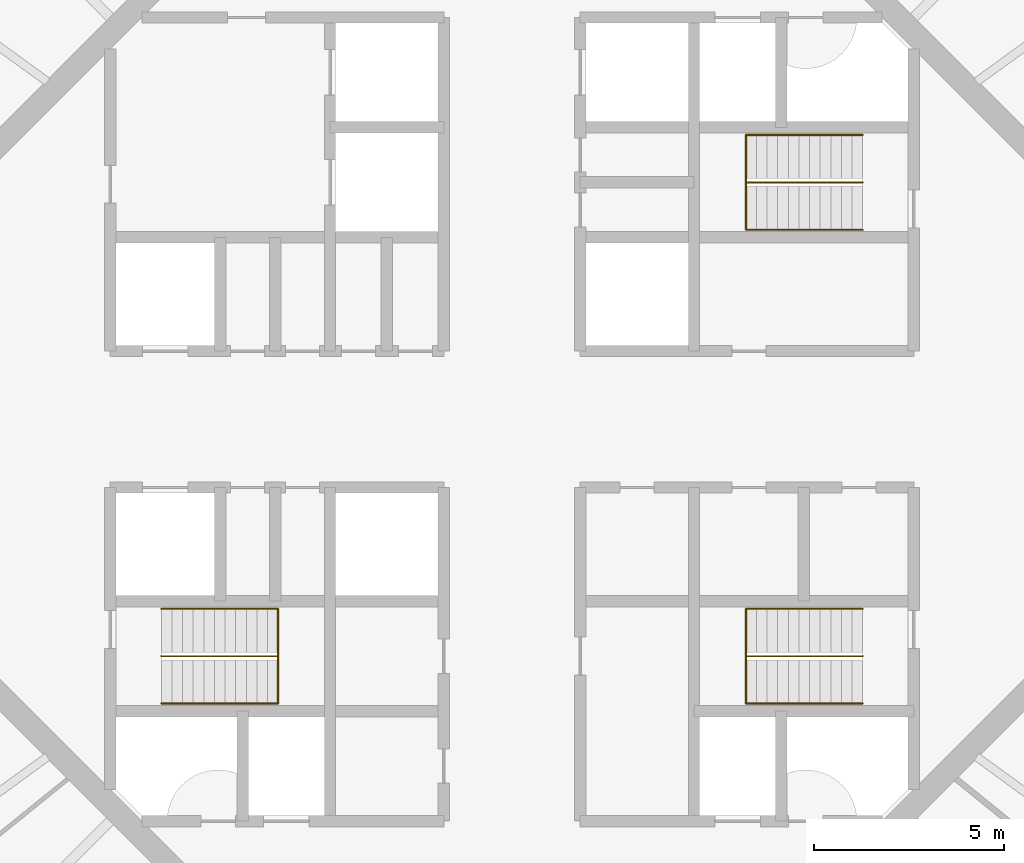
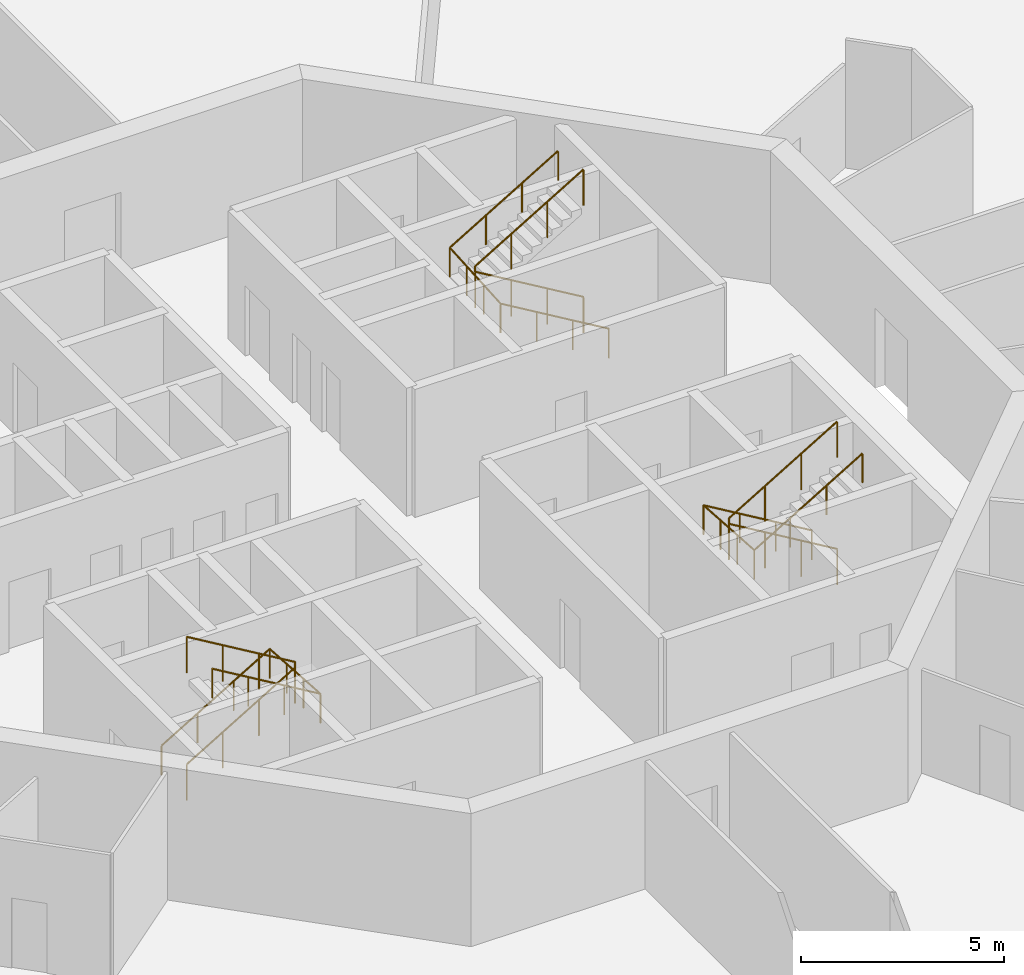
# One storey, part 13 of 13: 6 railings.
"""IFC4 building model written with IfcOpenShell, lengths in metres."""

import ifcopenshell
import ifcopenshell.guid

model = None  # the IFC model being written
_history = None  # IfcOwnerHistory: only IFC2X3 demands one
_inside = {}  # id of a spatial element -> (the spatial element, [elements in it])
_under = {}  # id of a project, library or spatial element -> (it, [spatial elements below it])
_declared = {}  # id of a project -> (the project, [libraries it declares])
_typed = {}  # id of a type object -> (the type object, [elements of that type])
_made_of = {}  # id of a material, layer set ... -> (it, [elements and type objects made of it])


def new_model(schema):
    """Start an empty IFC model of exactly this schema.

    Asked for "IFC4X3", IfcOpenShell would pick the latest addendum, in which some entities
    have other attributes; the version numbers below select the first issue.
    IFC2X3 requires an IfcOwnerHistory on every rooted entity: one is made here for all.
    """
    global model, _history
    if schema == "IFC4X3":
        model = ifcopenshell.file(schema_version=(4, 3, 0, 0))
    else:
        model = ifcopenshell.file(schema=schema)
    _inside.clear()
    _under.clear()
    _declared.clear()
    _typed.clear()
    _made_of.clear()
    _history = None
    if model.schema == "IFC2X3":
        org = make("IfcOrganization", Name="unknown")
        user = make(
            "IfcPersonAndOrganization",
            ThePerson=make("IfcPerson", FamilyName="unknown"),
            TheOrganization=org,
        )
        app = make(
            "IfcApplication",
            ApplicationDeveloper=org,
            Version="unknown",
            ApplicationFullName="unknown",
            ApplicationIdentifier="unknown",
        )
        _history = make(
            "IfcOwnerHistory",
            OwningUser=user,
            OwningApplication=app,
            ChangeAction="ADDED",
            CreationDate=0,
        )
    return model


def make(cls, **values):
    """One entity of the class cls with the attributes given. An attribute that is None is left unset."""
    return model.create_entity(
        cls, **{name: value for name, value in values.items() if value is not None}
    )


def rooted(cls, **values):
    """An entity with a GlobalId (a new one), such as an element, a storey or a relation."""
    return make(cls, GlobalId=ifcopenshell.guid.new(), OwnerHistory=_history, **values)


def si_unit(unit_type, name, prefix=None):
    """IfcSIUnit, for example si_unit("LENGTHUNIT", "METRE", prefix="MILLI")."""
    return make("IfcSIUnit", UnitType=unit_type, Prefix=prefix, Name=name)


def assignment(units):
    """IfcUnitAssignment: the units of a project."""
    return None if units is None else make("IfcUnitAssignment", Units=units)


def point(xyz):
    """IfcCartesianPoint."""
    return None if xyz is None else make("IfcCartesianPoint", Coordinates=xyz)


def direction(xyz):
    """IfcDirection."""
    return None if xyz is None else make("IfcDirection", DirectionRatios=xyz)


def frame(location, z_axis=None, x_axis=None):
    """IfcAxis2Placement3D, a coordinate frame: its origin and axes. An axis left out is left unset."""
    return make(
        "IfcAxis2Placement3D",
        Location=point(location),
        Axis=direction(z_axis),
        RefDirection=direction(x_axis),
    )


def frame_2d(location, x_axis=None):
    """IfcAxis2Placement2D, a coordinate frame in the plane: its origin and x axis."""
    return make(
        "IfcAxis2Placement2D", Location=point(location), RefDirection=direction(x_axis)
    )


def origin():
    """The frame at (0, 0, 0) with its axes left unset."""
    return frame((0.0, 0.0, 0.0))


def origin_2d():
    """The frame at (0, 0) in the plane with its x axis left unset."""
    return frame_2d((0.0, 0.0))


def place(relative_to, where):
    """IfcLocalPlacement: puts the frame where relative to a parent placement (None: the world)."""
    return make(
        "IfcLocalPlacement", PlacementRelTo=relative_to, RelativePlacement=where
    )


def context(
    kind, dimensions, precision=None, world=None, true_north=None, identifier=None
):
    """IfcGeometricRepresentationContext, for example the 3D "Model" context."""
    return make(
        "IfcGeometricRepresentationContext",
        ContextIdentifier=identifier,
        ContextType=kind,
        CoordinateSpaceDimension=dimensions,
        Precision=precision,
        WorldCoordinateSystem=world,
        TrueNorth=true_north,
    )


def subcontext(parent, identifier, kind, view, scale=None):
    """IfcGeometricRepresentationSubContext, for example "Body" below "Model"."""
    return make(
        "IfcGeometricRepresentationSubContext",
        ContextIdentifier=identifier,
        ContextType=kind,
        ParentContext=parent,
        TargetScale=scale,
        TargetView=view,
    )


def project(units=None, contexts=None):
    """IfcProject with its units and contexts."""
    return rooted(
        "IfcProject",
        Name="project",
        RepresentationContexts=contexts,
        UnitsInContext=assignment(units),
    )


def spatial(cls, under=None, at=None, **own):
    """A site, building, storey or space (cls), placed at a placement, below another one or the project."""
    s = rooted(cls, ObjectPlacement=at, **own)
    if under is not None:
        _under.setdefault(under.id(), (under, []))[1].append(s)
    return s


def profile(cls, at=None, kind="AREA", **sizes):
    """A parametric profile (cls). Its sizes go by their IFC names, for example OverallWidth=200.0."""
    return make(cls, ProfileType=kind, Position=at, **sizes)


def circle(**sizes):
    """IfcCircleProfileDef."""
    return profile("IfcCircleProfileDef", **sizes)


def extrude(swept, where, along, depth):
    """IfcExtrudedAreaSolid: the profile swept, set in the frame where, extruded along a direction by depth."""
    return make(
        "IfcExtrudedAreaSolid",
        SweptArea=swept,
        Position=where,
        ExtrudedDirection=direction(along),
        Depth=depth,
    )


def shape(context_of_items, identifier, shape_type, items):
    """IfcShapeRepresentation: the items that make up one representation, for example the "Body"."""
    return make(
        "IfcShapeRepresentation",
        ContextOfItems=context_of_items,
        RepresentationIdentifier=identifier,
        RepresentationType=shape_type,
        Items=items,
    )


def material(Name=None, Category=None):
    """IfcMaterial."""
    return make("IfcMaterial", Name=Name, Category=Category)


def made_of(thing, what):
    """Note that an element or type object is made of a material, layer set ...; save() writes the relation."""
    if what is not None:
        _made_of.setdefault(what.id(), (what, []))[1].append(thing)
    return thing


def type_object(cls, material=None, **own):
    """A type object (cls), such as IfcWallType, which elements share."""
    return made_of(rooted(cls, **own), material)


def element(
    cls,
    number,
    at=None,
    inside=None,
    cuts=None,
    type_object=None,
    material=None,
    context=None,
    identifier="Body",
    shape_type=None,
    held_by="IfcProductDefinitionShape",
    body=None,
    shapes=None,
    **own,
):
    """One element of the class cls, such as IfcWall. Its Tag is "e" and its number.

    at: its placement. inside: the storey or other place that contains it. cuts: it is an
    opening in that element (IfcRelVoidsElement). A single representation is given by context,
    identifier, shape_type and body (its items); several are given by shapes. held_by: the class
    of the entity that holds the representations. save() writes the other relations.
    """
    e = rooted(cls, Tag="e%d" % number, ObjectPlacement=at, **own)
    if body is not None:
        shapes = [shape(context, identifier, shape_type, body)]
    if shapes is not None:
        e.Representation = make(held_by, Representations=shapes)
    if inside is not None:
        _inside.setdefault(inside.id(), (inside, []))[1].append(e)
    if cuts is not None:
        rooted(
            "IfcRelVoidsElement", RelatingBuildingElement=cuts, RelatedOpeningElement=e
        )
    if type_object is not None:
        _typed.setdefault(type_object.id(), (type_object, []))[1].append(e)
    return made_of(e, material)


def aggregate(whole, parts):
    """IfcRelAggregates: a whole, such as a stair, and the parts it consists of."""
    return rooted("IfcRelAggregates", RelatingObject=whole, RelatedObjects=parts)


def save(model, path):
    """Write the relations noted so far, then the file.

    IfcRelAggregates (storeys below a building ...), IfcRelContainedInSpatialStructure (elements
    in a storey), IfcRelDefinesByType, IfcRelAssociatesMaterial and IfcRelDeclares: one each for
    every whole, place, type object, material and project.
    """
    for whole, parts in _under.values():
        aggregate(whole, parts)
    for where, things in _inside.values():
        rooted(
            "IfcRelContainedInSpatialStructure",
            RelatedElements=things,
            RelatingStructure=where,
        )
    for kind, things in _typed.values():
        rooted("IfcRelDefinesByType", RelatedObjects=things, RelatingType=kind)
    for what, things in _made_of.values():
        rooted("IfcRelAssociatesMaterial", RelatedObjects=things, RelatingMaterial=what)
    for by, libraries in _declared.values():
        rooted("IfcRelDeclares", RelatingContext=by, RelatedDefinitions=libraries)
    model.write(path)


model = new_model("IFC4")

# Units and contexts
model_context = context("Model", 3, precision=1e-05, world=origin(), true_north=direction((0.0, 1.0)))
body_context = subcontext(model_context, "Body", "Model", "MODEL_VIEW")
ifc_project = project(units=[si_unit("LENGTHUNIT", "METRE"), si_unit("AREAUNIT", "SQUARE_METRE"), si_unit("VOLUMEUNIT", "CUBIC_METRE"), si_unit("PLANEANGLEUNIT", "RADIAN"), si_unit("MASSUNIT", "GRAM", prefix="KILO")], contexts=[model_context])

# Site, building, storey
site_placement = place(None, origin())
site = spatial("IfcSite", under=ifc_project, at=site_placement, CompositionType="ELEMENT")
building_placement = place(site_placement, origin())
building = spatial("IfcBuilding", under=site, at=building_placement, Name="Entoto Ring Tower", CompositionType="ELEMENT")
storey_placement = place(building_placement, frame((0.0, 0.0, 356.0)))
storey = spatial("IfcBuildingStorey", under=building, at=storey_placement, Name="L82", CompositionType="ELEMENT", Elevation=356.0)

# Railings
ifc_material_1 = material(Name="Steel S275", Category="steel")
railing_type_1 = type_object("IfcRailingType", Name="Stair guard 1100 mm steel", PredefinedType="GUARDRAIL", material=ifc_material_1)
railing_1_placement = place(storey_placement, frame((99.25, 86.25, 0.166748046875)))
element("IfcRailing", 1, at=railing_1_placement, inside=storey, type_object=railing_type_1, Name="Guard ST1", PredefinedType="GUARDRAIL", context=body_context, shape_type="SweptSolid", body=[
    extrude(circle(Radius=0.02392578125, at=origin_2d()), frame((0.0, 0.0, 1.076171875), z_axis=(-0.859308565015, 0.0, 0.511457515432), x_axis=(0.0, -1.0, 0.0)), (0.0, 0.0, 1.0), 3.58447265625),
    extrude(circle(Radius=0.02392578125, at=origin_2d()), frame((-3.080078125, 0.0, 2.9091796875), z_axis=(0.0, 0.0, 1.0), x_axis=(1.0, 0.0, 0.0)), (0.0, 0.0, 1.0), 0.166748046875),
    extrude(circle(Radius=0.02392578125, at=origin_2d()), frame((-3.080078125, 0.0, 3.076171875), z_axis=(0.859308565015, 0.0, 0.511457515432), x_axis=(0.0, 1.0, 0.0)), (0.0, 0.0, 1.0), 3.58447265625),
    extrude(circle(Radius=0.02099609375, at=origin_2d()), origin(), (0.0, 0.0, 1.0), 1.052001953125),
    extrude(circle(Radius=0.02099609375, at=origin_2d()), frame((-1.026611328125, 0.0, 0.611083984375)), (0.0, 0.0, 1.0), 1.052001953125),
    extrude(circle(Radius=0.02099609375, at=origin_2d()), frame((-2.053466796875, 0.0, 1.22216796875)), (0.0, 0.0, 1.0), 1.052001953125),
    extrude(circle(Radius=0.02099609375, at=origin_2d()), frame((-3.080078125, 0.0, 1.833251953125)), (0.0, 0.0, 1.0), 1.052001953125),
    extrude(circle(Radius=0.02099609375, at=origin_2d()), frame((-3.080078125, 0.0, 2.0)), (0.0, 0.0, 1.0), 1.052001953125),
    extrude(circle(Radius=0.02099609375, at=origin_2d()), frame((-2.053466796875, 0.0, 2.611083984375)), (0.0, 0.0, 1.0), 1.052001953125),
    extrude(circle(Radius=0.02099609375, at=origin_2d()), frame((-1.026611328125, 0.0, 3.22216796875)), (0.0, 0.0, 1.0), 1.052001953125),
    extrude(circle(Radius=0.02099609375, at=origin_2d()), frame((0.0, 0.0, 3.833251953125)), (0.0, 0.0, 1.0), 1.052001953125),
])
railing_2_placement = place(storey_placement, frame((80.75, 73.75, 0.166748046875)))
element("IfcRailing", 2, at=railing_2_placement, inside=storey, type_object=railing_type_1, Name="Guard ST2", PredefinedType="GUARDRAIL", context=body_context, shape_type="SweptSolid", body=[
    extrude(circle(Radius=0.02392578125, at=origin_2d()), frame((0.0, 0.0, 1.076171875), z_axis=(0.859308565015, 0.0, 0.511457515432), x_axis=(0.0, 1.0, 0.0)), (0.0, 0.0, 1.0), 3.58447265625),
    extrude(circle(Radius=0.02392578125, at=origin_2d()), frame((3.080078125, 0.0, 2.9091796875), z_axis=(0.0, 0.0, 1.0), x_axis=(1.0, 0.0, 0.0)), (0.0, 0.0, 1.0), 0.166748046875),
    extrude(circle(Radius=0.02392578125, at=origin_2d()), frame((3.080078125, 0.0, 3.076171875), z_axis=(-0.859308565015, 0.0, 0.511457515432), x_axis=(0.0, -1.0, 0.0)), (0.0, 0.0, 1.0), 3.58447265625),
    extrude(circle(Radius=0.02099609375, at=origin_2d()), origin(), (0.0, 0.0, 1.0), 1.052001953125),
    extrude(circle(Radius=0.02099609375, at=origin_2d()), frame((1.026611328125, 0.0, 0.611083984375)), (0.0, 0.0, 1.0), 1.052001953125),
    extrude(circle(Radius=0.02099609375, at=origin_2d()), frame((2.053466796875, 0.0, 1.22216796875)), (0.0, 0.0, 1.0), 1.052001953125),
    extrude(circle(Radius=0.02099609375, at=origin_2d()), frame((3.080078125, 0.0, 1.833251953125)), (0.0, 0.0, 1.0), 1.052001953125),
    extrude(circle(Radius=0.02099609375, at=origin_2d()), frame((3.080078125, 0.0, 2.0)), (0.0, 0.0, 1.0), 1.052001953125),
    extrude(circle(Radius=0.02099609375, at=origin_2d()), frame((2.053466796875, 0.0, 2.611083984375)), (0.0, 0.0, 1.0), 1.052001953125),
    extrude(circle(Radius=0.02099609375, at=origin_2d()), frame((1.026611328125, 0.0, 3.22216796875)), (0.0, 0.0, 1.0), 1.052001953125),
    extrude(circle(Radius=0.02099609375, at=origin_2d()), frame((0.0, 0.0, 3.833251953125)), (0.0, 0.0, 1.0), 1.052001953125),
])
railing_3_placement = place(storey_placement, frame((99.25, 73.75, 0.166748046875)))
element("IfcRailing", 3, at=railing_3_placement, inside=storey, type_object=railing_type_1, Name="Guard ST3", PredefinedType="GUARDRAIL", context=body_context, shape_type="SweptSolid", body=[
    extrude(circle(Radius=0.02392578125, at=origin_2d()), frame((0.0, 0.0, 1.076171875), z_axis=(-0.859308565015, 0.0, 0.511457515432), x_axis=(0.0, -1.0, 0.0)), (0.0, 0.0, 1.0), 3.58447265625),
    extrude(circle(Radius=0.02392578125, at=origin_2d()), frame((-3.080078125, 0.0, 2.9091796875), z_axis=(0.0, 0.0, 1.0), x_axis=(1.0, 0.0, 0.0)), (0.0, 0.0, 1.0), 0.166748046875),
    extrude(circle(Radius=0.02392578125, at=origin_2d()), frame((-3.080078125, 0.0, 3.076171875), z_axis=(0.859308565015, 0.0, 0.511457515432), x_axis=(0.0, 1.0, 0.0)), (0.0, 0.0, 1.0), 3.58447265625),
    extrude(circle(Radius=0.02099609375, at=origin_2d()), origin(), (0.0, 0.0, 1.0), 1.052001953125),
    extrude(circle(Radius=0.02099609375, at=origin_2d()), frame((-1.026611328125, 0.0, 0.611083984375)), (0.0, 0.0, 1.0), 1.052001953125),
    extrude(circle(Radius=0.02099609375, at=origin_2d()), frame((-2.053466796875, 0.0, 1.22216796875)), (0.0, 0.0, 1.0), 1.052001953125),
    extrude(circle(Radius=0.02099609375, at=origin_2d()), frame((-3.080078125, 0.0, 1.833251953125)), (0.0, 0.0, 1.0), 1.052001953125),
    extrude(circle(Radius=0.02099609375, at=origin_2d()), frame((-3.080078125, 0.0, 2.0)), (0.0, 0.0, 1.0), 1.052001953125),
    extrude(circle(Radius=0.02099609375, at=origin_2d()), frame((-2.053466796875, 0.0, 2.611083984375)), (0.0, 0.0, 1.0), 1.052001953125),
    extrude(circle(Radius=0.02099609375, at=origin_2d()), frame((-1.026611328125, 0.0, 3.22216796875)), (0.0, 0.0, 1.0), 1.052001953125),
    extrude(circle(Radius=0.02099609375, at=origin_2d()), frame((0.0, 0.0, 3.833251953125)), (0.0, 0.0, 1.0), 1.052001953125),
])
ifc_material_2 = material(Name="Steel S275", Category="steel")
railing_type_2 = type_object("IfcRailingType", Name="Stair handrail 900 mm steel", PredefinedType="HANDRAIL", material=ifc_material_2)
railing_4_placement = place(storey_placement, frame((99.25, 85.0, 0.166748046875)))
element("IfcRailing", 4, at=railing_4_placement, inside=storey, type_object=railing_type_2, Name="Handrail ST1", PredefinedType="HANDRAIL", context=body_context, shape_type="SweptSolid", body=[
    extrude(circle(Radius=0.02392578125, at=origin_2d()), frame((0.0, 0.0, 0.8759765625), z_axis=(-0.859308565015, 0.0, 0.511457515432), x_axis=(0.0, -1.0, 0.0)), (0.0, 0.0, 1.0), 3.58447265625),
    extrude(circle(Radius=0.02392578125, at=origin_2d()), frame((-3.080078125, 0.0, 2.708984375), z_axis=(0.0, 0.997783001586, 0.066551346688), x_axis=(-1.0, 0.0, 0.0)), (0.0, 0.0, 1.0), 2.505615234375),
    extrude(circle(Radius=0.02392578125, at=origin_2d()), frame((-3.080078125, 2.5, 2.8759765625), z_axis=(0.859308565015, 0.0, 0.511457515432), x_axis=(0.0, 1.0, 0.0)), (0.0, 0.0, 1.0), 3.58447265625),
    extrude(circle(Radius=0.02099609375, at=origin_2d()), origin(), (0.0, 0.0, 1.0), 0.851806640625),
    extrude(circle(Radius=0.02099609375, at=origin_2d()), frame((-1.026611328125, 0.0, 0.611083984375)), (0.0, 0.0, 1.0), 0.851806640625),
    extrude(circle(Radius=0.02099609375, at=origin_2d()), frame((-2.053466796875, 0.0, 1.22216796875)), (0.0, 0.0, 1.0), 0.851806640625),
    extrude(circle(Radius=0.02099609375, at=origin_2d()), frame((-3.080078125, 0.0, 1.833251953125)), (0.0, 0.0, 1.0), 0.851806640625),
    extrude(circle(Radius=0.02099609375, at=origin_2d()), frame((-3.080078125, 0.833251953125, 1.888916015625)), (0.0, 0.0, 1.0), 0.851806640625),
    extrude(circle(Radius=0.02099609375, at=origin_2d()), frame((-3.080078125, 1.666748046875, 1.9443359375)), (0.0, 0.0, 1.0), 0.851806640625),
    extrude(circle(Radius=0.02099609375, at=origin_2d()), frame((-3.080078125, 2.5, 2.0)), (0.0, 0.0, 1.0), 0.851806640625),
    extrude(circle(Radius=0.02099609375, at=origin_2d()), frame((-2.053466796875, 2.5, 2.611083984375)), (0.0, 0.0, 1.0), 0.851806640625),
    extrude(circle(Radius=0.02099609375, at=origin_2d()), frame((-1.026611328125, 2.5, 3.22216796875)), (0.0, 0.0, 1.0), 0.851806640625),
    extrude(circle(Radius=0.02099609375, at=origin_2d()), frame((0.0, 2.5, 3.833251953125)), (0.0, 0.0, 1.0), 0.851806640625),
])
railing_5_placement = place(storey_placement, frame((80.75, 75.0, 0.166748046875)))
element("IfcRailing", 5, at=railing_5_placement, inside=storey, type_object=railing_type_2, Name="Handrail ST2", PredefinedType="HANDRAIL", context=body_context, shape_type="SweptSolid", body=[
    extrude(circle(Radius=0.02392578125, at=origin_2d()), frame((0.0, 0.0, 0.8759765625), z_axis=(0.859308565015, 0.0, 0.511457515432), x_axis=(0.0, 1.0, 0.0)), (0.0, 0.0, 1.0), 3.58447265625),
    extrude(circle(Radius=0.02392578125, at=origin_2d()), frame((3.080078125, 0.0, 2.708984375), z_axis=(0.0, -0.997783001586, 0.066551346688), x_axis=(1.0, 0.0, 0.0)), (0.0, 0.0, 1.0), 2.505615234375),
    extrude(circle(Radius=0.02392578125, at=origin_2d()), frame((3.080078125, -2.5, 2.8759765625), z_axis=(-0.859308565015, 0.0, 0.511457515432), x_axis=(0.0, -1.0, 0.0)), (0.0, 0.0, 1.0), 3.58447265625),
    extrude(circle(Radius=0.02099609375, at=origin_2d()), origin(), (0.0, 0.0, 1.0), 0.851806640625),
    extrude(circle(Radius=0.02099609375, at=origin_2d()), frame((1.026611328125, 0.0, 0.611083984375)), (0.0, 0.0, 1.0), 0.851806640625),
    extrude(circle(Radius=0.02099609375, at=origin_2d()), frame((2.053466796875, 0.0, 1.22216796875)), (0.0, 0.0, 1.0), 0.851806640625),
    extrude(circle(Radius=0.02099609375, at=origin_2d()), frame((3.080078125, 0.0, 1.833251953125)), (0.0, 0.0, 1.0), 0.851806640625),
    extrude(circle(Radius=0.02099609375, at=origin_2d()), frame((3.080078125, -0.833251953125, 1.888916015625)), (0.0, 0.0, 1.0), 0.851806640625),
    extrude(circle(Radius=0.02099609375, at=origin_2d()), frame((3.080078125, -1.666748046875, 1.9443359375)), (0.0, 0.0, 1.0), 0.851806640625),
    extrude(circle(Radius=0.02099609375, at=origin_2d()), frame((3.080078125, -2.5, 2.0)), (0.0, 0.0, 1.0), 0.851806640625),
    extrude(circle(Radius=0.02099609375, at=origin_2d()), frame((2.053466796875, -2.5, 2.611083984375)), (0.0, 0.0, 1.0), 0.851806640625),
    extrude(circle(Radius=0.02099609375, at=origin_2d()), frame((1.026611328125, -2.5, 3.22216796875)), (0.0, 0.0, 1.0), 0.851806640625),
    extrude(circle(Radius=0.02099609375, at=origin_2d()), frame((0.0, -2.5, 3.833251953125)), (0.0, 0.0, 1.0), 0.851806640625),
])
railing_6_placement = place(storey_placement, frame((99.25, 75.0, 0.166748046875)))
element("IfcRailing", 6, at=railing_6_placement, inside=storey, type_object=railing_type_2, Name="Handrail ST3", PredefinedType="HANDRAIL", context=body_context, shape_type="SweptSolid", body=[
    extrude(circle(Radius=0.02392578125, at=origin_2d()), frame((0.0, 0.0, 0.8759765625), z_axis=(-0.859308565015, 0.0, 0.511457515432), x_axis=(0.0, -1.0, 0.0)), (0.0, 0.0, 1.0), 3.58447265625),
    extrude(circle(Radius=0.02392578125, at=origin_2d()), frame((-3.080078125, 0.0, 2.708984375), z_axis=(0.0, -0.997783001586, 0.066551346688), x_axis=(1.0, 0.0, 0.0)), (0.0, 0.0, 1.0), 2.505615234375),
    extrude(circle(Radius=0.02392578125, at=origin_2d()), frame((-3.080078125, -2.5, 2.8759765625), z_axis=(0.859308565015, 0.0, 0.511457515432), x_axis=(0.0, 1.0, 0.0)), (0.0, 0.0, 1.0), 3.58447265625),
    extrude(circle(Radius=0.02099609375, at=origin_2d()), origin(), (0.0, 0.0, 1.0), 0.851806640625),
    extrude(circle(Radius=0.02099609375, at=origin_2d()), frame((-1.026611328125, 0.0, 0.611083984375)), (0.0, 0.0, 1.0), 0.851806640625),
    extrude(circle(Radius=0.02099609375, at=origin_2d()), frame((-2.053466796875, 0.0, 1.22216796875)), (0.0, 0.0, 1.0), 0.851806640625),
    extrude(circle(Radius=0.02099609375, at=origin_2d()), frame((-3.080078125, 0.0, 1.833251953125)), (0.0, 0.0, 1.0), 0.851806640625),
    extrude(circle(Radius=0.02099609375, at=origin_2d()), frame((-3.080078125, -0.833251953125, 1.888916015625)), (0.0, 0.0, 1.0), 0.851806640625),
    extrude(circle(Radius=0.02099609375, at=origin_2d()), frame((-3.080078125, -1.666748046875, 1.9443359375)), (0.0, 0.0, 1.0), 0.851806640625),
    extrude(circle(Radius=0.02099609375, at=origin_2d()), frame((-3.080078125, -2.5, 2.0)), (0.0, 0.0, 1.0), 0.851806640625),
    extrude(circle(Radius=0.02099609375, at=origin_2d()), frame((-2.053466796875, -2.5, 2.611083984375)), (0.0, 0.0, 1.0), 0.851806640625),
    extrude(circle(Radius=0.02099609375, at=origin_2d()), frame((-1.026611328125, -2.5, 3.22216796875)), (0.0, 0.0, 1.0), 0.851806640625),
    extrude(circle(Radius=0.02099609375, at=origin_2d()), frame((0.0, -2.5, 3.833251953125)), (0.0, 0.0, 1.0), 0.851806640625),
])

save(model, "model.ifc")
